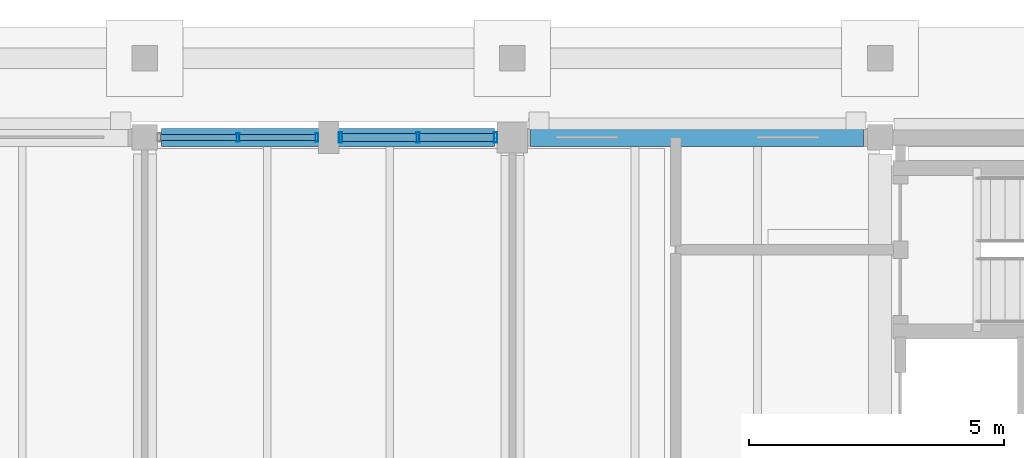
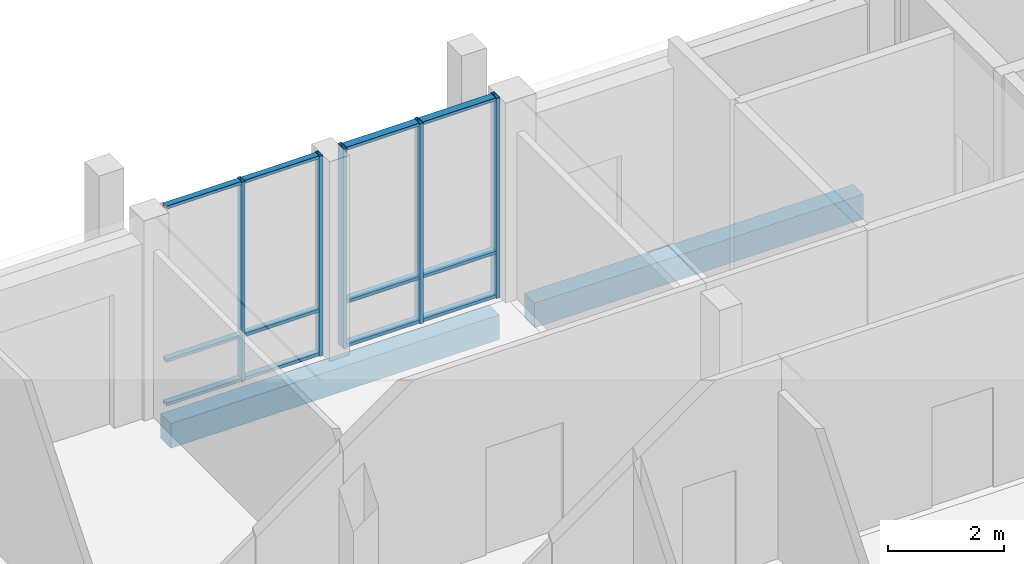
# One storey, part 42 of 104: 17 members, 2 beams, 2 elements without a shape of their own.
"""IFC4 building model written with IfcOpenShell, lengths in metres."""

from ifc_helpers import new_model, si_unit, direction, frame, origin, origin_2d, place, context, subcontext, project, spatial, rectangle, hollow_rectangle, extrude, material, material_profile, profile_set, type_object, element, aggregate, save


model = new_model("IFC4")

# Units and contexts
model_context = context("Model", 3, precision=1e-05, world=origin(), true_north=direction((0.0, 1.0)))
body_context = subcontext(model_context, "Body", "Model", "MODEL_VIEW")
ifc_project = project(units=[si_unit("LENGTHUNIT", "METRE"), si_unit("AREAUNIT", "SQUARE_METRE"), si_unit("VOLUMEUNIT", "CUBIC_METRE"), si_unit("PLANEANGLEUNIT", "RADIAN"), si_unit("MASSUNIT", "GRAM", prefix="KILO")], contexts=[model_context])

# Site, building, storey
site_placement = place(None, origin())
site = spatial("IfcSite", under=ifc_project, at=site_placement, CompositionType="ELEMENT")
building_placement = place(site_placement, origin())
building = spatial("IfcBuilding", under=site, at=building_placement, Name="Hawrajan Terrace Health Centre", CompositionType="ELEMENT")
storey_placement = place(building_placement, origin())
storey = spatial("IfcBuildingStorey", under=building, at=storey_placement, Name="L00", CompositionType="ELEMENT", Elevation=0.0)

# Curtain wall, members
ifc_material_1 = material(Name="Anodized bronze aluminium and low-E solar glazing", Category="aluminium")
curtain_wall_type_1 = type_object("IfcCurtainWallType", Name="CW_Garden_SeriesF2", PredefinedType="USERDEFINED", material=ifc_material_1)
curtain_wall_1_placement = place(storey_placement, origin())
curtain_wall_1 = element("IfcCurtainWall", 1, at=curtain_wall_1_placement, inside=storey, type_object=curtain_wall_type_1, Name="Curtain wall CW-L00-015", ObjectType="UNITISED CURTAIN WALL", PredefinedType="USERDEFINED")
ifc_material_2 = material(Name="Anodized bronze aluminium 6063-T6", Category="aluminium")
ifc_material_profile_1 = material_profile(ifc_material_2, hollow_rectangle(XDim=0.06494140625, YDim=0.159912109375, WallThickness=0.00390625, at=origin_2d()), Name="CW MUL 65x160")
ifc_profile_set_1 = profile_set([ifc_material_profile_1], Name="Anodized bronze aluminium 6063-T6")
member_type_1 = type_object("IfcMemberType", Name="CWMullion_65x160", PredefinedType="MULLION", material=ifc_profile_set_1)
member_1_placement = place(storey_placement, frame((35.22509765625, 59.800048828125, -0.0048828125), z_axis=(0.0, 0.0, 1.0), x_axis=(1.0, 0.0, 0.0)))
member_1 = element("IfcMember", 2, at=member_1_placement, type_object=member_type_1, Name="Mullion CW-L00-015-M2", PredefinedType="MULLION", context=body_context, shape_type="SweptSolid", body=[
    extrude(hollow_rectangle(XDim=0.06494140625, YDim=0.159912109375, WallThickness=0.00390625, at=origin_2d()), origin(), (0.0, 0.0, 1.0), 4.2099609375),
])
member_2_placement = place(storey_placement, frame((36.767578125, 59.800048828125, -0.0048828125), z_axis=(0.0, 0.0, 1.0), x_axis=(1.0, 0.0, 0.0)))
member_2 = element("IfcMember", 3, at=member_2_placement, type_object=member_type_1, Name="Mullion CW-L00-015-M3", PredefinedType="MULLION", context=body_context, shape_type="SweptSolid", body=[
    extrude(hollow_rectangle(XDim=0.06494140625, YDim=0.159912109375, WallThickness=0.00390625, at=origin_2d()), origin(), (0.0, 0.0, 1.0), 4.2099609375),
])

curtain_wall_type_2 = type_object("IfcCurtainWallType", Name="CW_Clerestory_SeriesG1", PredefinedType="USERDEFINED", material=ifc_material_1)
curtain_wall_2_placement = place(storey_placement, origin())
curtain_wall_2 = element("IfcCurtainWall", 4, at=curtain_wall_2_placement, inside=storey, type_object=curtain_wall_type_2, Name="Curtain wall CW-L00-016", ObjectType="UNITISED CURTAIN WALL", PredefinedType="USERDEFINED")
ifc_material_profile_2 = material_profile(ifc_material_2, hollow_rectangle(XDim=0.06494140625, YDim=0.199951171875, WallThickness=0.00439453125, at=origin_2d()), Name="CW MUL 65x200")
ifc_profile_set_2 = profile_set([ifc_material_profile_2], Name="Anodized bronze aluminium 6063-T6")
member_type_2 = type_object("IfcMemberType", Name="CWMullion_65x200", PredefinedType="MULLION", material=ifc_profile_set_2)
member_3_placement = place(storey_placement, frame((37.232421875, 59.800048828125, -0.0048828125), z_axis=(0.0, 0.0, 1.0), x_axis=(1.0, 0.0, 0.0)))
member_3 = element("IfcMember", 5, at=member_3_placement, type_object=member_type_2, Name="Mullion CW-L00-016-M1", PredefinedType="MULLION", context=body_context, shape_type="SweptSolid", body=[
    extrude(hollow_rectangle(XDim=0.06494140625, YDim=0.199951171875, WallThickness=0.00439453125, at=origin_2d()), origin(), (0.0, 0.0, 1.0), 4.2099609375),
])
member_4_placement = place(storey_placement, frame((38.75, 59.800048828125, -0.0048828125), z_axis=(0.0, 0.0, 1.0), x_axis=(1.0, 0.0, 0.0)))
member_4 = element("IfcMember", 6, at=member_4_placement, type_object=member_type_2, Name="Mullion CW-L00-016-M2", PredefinedType="MULLION", context=body_context, shape_type="SweptSolid", body=[
    extrude(hollow_rectangle(XDim=0.06494140625, YDim=0.199951171875, WallThickness=0.00439453125, at=origin_2d()), origin(), (0.0, 0.0, 1.0), 4.2099609375),
])
member_5_placement = place(storey_placement, frame((40.267578125, 59.800048828125, -0.0048828125), z_axis=(0.0, 0.0, 1.0), x_axis=(1.0, 0.0, 0.0)))
member_5 = element("IfcMember", 7, at=member_5_placement, type_object=member_type_2, Name="Mullion CW-L00-016-M3", PredefinedType="MULLION", context=body_context, shape_type="SweptSolid", body=[
    extrude(hollow_rectangle(XDim=0.06494140625, YDim=0.199951171875, WallThickness=0.00439453125, at=origin_2d()), origin(), (0.0, 0.0, 1.0), 4.2099609375),
])

# Member
ifc_material_profile_3 = material_profile(ifc_material_2, hollow_rectangle(XDim=0.06494140625, YDim=0.1201171875, WallThickness=0.00341796875, at=origin_2d()), Name="CW TRN 65x120")
ifc_profile_set_3 = profile_set([ifc_material_profile_3], Name="Anodized bronze aluminium 6063-T6")
member_type_3 = type_object("IfcMemberType", Name="CWTransom_65x120", PredefinedType="USERDEFINED", material=ifc_profile_set_3)
member_6_placement = place(storey_placement, frame((33.708984375, 59.800048828125, 0.032470703125), z_axis=(1.0, 0.0, 0.0), x_axis=(0.0, 0.0, 1.0)))
member_6 = element("IfcMember", 8, at=member_6_placement, type_object=member_type_3, Name="Transom CW-L00-015-T1-1", ObjectType="TRANSOM", PredefinedType="USERDEFINED", context=body_context, shape_type="SweptSolid", body=[
    extrude(hollow_rectangle(XDim=0.06494140625, YDim=0.1201171875, WallThickness=0.00341796875, at=origin_2d()), origin(), (0.0, 0.0, 1.0), 1.489501953125),
])

member_7_placement = place(storey_placement, frame((33.708984375, 59.800048828125, 0.949951171875), z_axis=(1.0, 0.0, 0.0), x_axis=(0.0, 0.0, 1.0)))
member_7 = element("IfcMember", 9, at=member_7_placement, type_object=member_type_3, Name="Transom CW-L00-015-T1-2", ObjectType="TRANSOM", PredefinedType="USERDEFINED", context=body_context, shape_type="SweptSolid", body=[
    extrude(hollow_rectangle(XDim=0.06494140625, YDim=0.1201171875, WallThickness=0.00341796875, at=origin_2d()), origin(), (0.0, 0.0, 1.0), 1.489501953125),
])

member_8_placement = place(storey_placement, frame((33.708984375, 59.800048828125, 4.16748046875), z_axis=(1.0, 0.0, 0.0), x_axis=(0.0, 0.0, 1.0)))
member_8 = element("IfcMember", 10, at=member_8_placement, type_object=member_type_3, Name="Transom CW-L00-015-T1-3", ObjectType="TRANSOM", PredefinedType="USERDEFINED", context=body_context, shape_type="SweptSolid", body=[
    extrude(hollow_rectangle(XDim=0.06494140625, YDim=0.1201171875, WallThickness=0.00341796875, at=origin_2d()), origin(), (0.0, 0.0, 1.0), 1.489501953125),
])

member_9_placement = place(storey_placement, frame((35.25146484375, 59.800048828125, 0.032470703125), z_axis=(1.0, 0.0, 0.0), x_axis=(0.0, 0.0, 1.0)))
member_9 = element("IfcMember", 11, at=member_9_placement, type_object=member_type_3, Name="Transom CW-L00-015-T2-1", ObjectType="TRANSOM", PredefinedType="USERDEFINED", context=body_context, shape_type="SweptSolid", body=[
    extrude(hollow_rectangle(XDim=0.06494140625, YDim=0.1201171875, WallThickness=0.00341796875, at=origin_2d()), origin(), (0.0, 0.0, 1.0), 1.489501953125),
])

member_10_placement = place(storey_placement, frame((35.25146484375, 59.800048828125, 0.949951171875), z_axis=(1.0, 0.0, 0.0), x_axis=(0.0, 0.0, 1.0)))
member_10 = element("IfcMember", 12, at=member_10_placement, type_object=member_type_3, Name="Transom CW-L00-015-T2-2", ObjectType="TRANSOM", PredefinedType="USERDEFINED", context=body_context, shape_type="SweptSolid", body=[
    extrude(hollow_rectangle(XDim=0.06494140625, YDim=0.1201171875, WallThickness=0.00341796875, at=origin_2d()), origin(), (0.0, 0.0, 1.0), 1.489501953125),
])

member_11_placement = place(storey_placement, frame((35.25146484375, 59.800048828125, 4.16748046875), z_axis=(1.0, 0.0, 0.0), x_axis=(0.0, 0.0, 1.0)))
member_11 = element("IfcMember", 13, at=member_11_placement, type_object=member_type_3, Name="Transom CW-L00-015-T2-3", ObjectType="TRANSOM", PredefinedType="USERDEFINED", context=body_context, shape_type="SweptSolid", body=[
    extrude(hollow_rectangle(XDim=0.06494140625, YDim=0.1201171875, WallThickness=0.00341796875, at=origin_2d()), origin(), (0.0, 0.0, 1.0), 1.489501953125),
])

aggregate(curtain_wall_1, [member_1, member_2, member_6, member_7, member_8, member_9, member_10, member_11])

ifc_material_profile_4 = material_profile(ifc_material_2, hollow_rectangle(XDim=0.06494140625, YDim=0.14990234375, WallThickness=0.00390625, at=origin_2d()), Name="CW TRN 65x150")
ifc_profile_set_4 = profile_set([ifc_material_profile_4], Name="Anodized bronze aluminium 6063-T6")
member_type_4 = type_object("IfcMemberType", Name="CWTransom_65x150", PredefinedType="USERDEFINED", material=ifc_profile_set_4)
member_12_placement = place(storey_placement, frame((37.259033203125, 59.800048828125, 0.032470703125), z_axis=(1.0, 0.0, 0.0), x_axis=(0.0, 0.0, 1.0)))
member_12 = element("IfcMember", 14, at=member_12_placement, type_object=member_type_4, Name="Transom CW-L00-016-T1-1", ObjectType="TRANSOM", PredefinedType="USERDEFINED", context=body_context, shape_type="SweptSolid", body=[
    extrude(hollow_rectangle(XDim=0.06494140625, YDim=0.14990234375, WallThickness=0.00390625, at=origin_2d()), origin(), (0.0, 0.0, 1.0), 1.46435546875),
])

member_13_placement = place(storey_placement, frame((37.259033203125, 59.800048828125, 0.949951171875), z_axis=(1.0, 0.0, 0.0), x_axis=(0.0, 0.0, 1.0)))
member_13 = element("IfcMember", 15, at=member_13_placement, type_object=member_type_4, Name="Transom CW-L00-016-T1-2", ObjectType="TRANSOM", PredefinedType="USERDEFINED", context=body_context, shape_type="SweptSolid", body=[
    extrude(hollow_rectangle(XDim=0.06494140625, YDim=0.14990234375, WallThickness=0.00390625, at=origin_2d()), origin(), (0.0, 0.0, 1.0), 1.46435546875),
])

member_14_placement = place(storey_placement, frame((37.259033203125, 59.800048828125, 4.16748046875), z_axis=(1.0, 0.0, 0.0), x_axis=(0.0, 0.0, 1.0)))
member_14 = element("IfcMember", 16, at=member_14_placement, type_object=member_type_4, Name="Transom CW-L00-016-T1-3", ObjectType="TRANSOM", PredefinedType="USERDEFINED", context=body_context, shape_type="SweptSolid", body=[
    extrude(hollow_rectangle(XDim=0.06494140625, YDim=0.14990234375, WallThickness=0.00390625, at=origin_2d()), origin(), (0.0, 0.0, 1.0), 1.46435546875),
])

member_15_placement = place(storey_placement, frame((38.776611328125, 59.800048828125, 0.032470703125), z_axis=(1.0, 0.0, 0.0), x_axis=(0.0, 0.0, 1.0)))
member_15 = element("IfcMember", 17, at=member_15_placement, type_object=member_type_4, Name="Transom CW-L00-016-T2-1", ObjectType="TRANSOM", PredefinedType="USERDEFINED", context=body_context, shape_type="SweptSolid", body=[
    extrude(hollow_rectangle(XDim=0.06494140625, YDim=0.14990234375, WallThickness=0.00390625, at=origin_2d()), origin(), (0.0, 0.0, 1.0), 1.46435546875),
])

member_16_placement = place(storey_placement, frame((38.776611328125, 59.800048828125, 0.949951171875), z_axis=(1.0, 0.0, 0.0), x_axis=(0.0, 0.0, 1.0)))
member_16 = element("IfcMember", 18, at=member_16_placement, type_object=member_type_4, Name="Transom CW-L00-016-T2-2", ObjectType="TRANSOM", PredefinedType="USERDEFINED", context=body_context, shape_type="SweptSolid", body=[
    extrude(hollow_rectangle(XDim=0.06494140625, YDim=0.14990234375, WallThickness=0.00390625, at=origin_2d()), origin(), (0.0, 0.0, 1.0), 1.46435546875),
])

member_17_placement = place(storey_placement, frame((38.776611328125, 59.800048828125, 4.16748046875), z_axis=(1.0, 0.0, 0.0), x_axis=(0.0, 0.0, 1.0)))
member_17 = element("IfcMember", 19, at=member_17_placement, type_object=member_type_4, Name="Transom CW-L00-016-T2-3", ObjectType="TRANSOM", PredefinedType="USERDEFINED", context=body_context, shape_type="SweptSolid", body=[
    extrude(hollow_rectangle(XDim=0.06494140625, YDim=0.14990234375, WallThickness=0.00390625, at=origin_2d()), origin(), (0.0, 0.0, 1.0), 1.46435546875),
])

aggregate(curtain_wall_2, [member_3, member_4, member_5, member_12, member_13, member_14, member_15, member_16, member_17])

# Beams
ifc_material_3 = material(Name="Concrete C40/50", Category="concrete")
ifc_material_profile_5 = material_profile(ifc_material_3, rectangle(XDim=0.35009765625, YDim=0.52001953125, at=origin_2d()), Name="RC SP 350x520")
ifc_profile_set_5 = profile_set([ifc_material_profile_5], Name="Concrete C40/50")
beam_type = type_object("IfcBeamType", Name="RCSpandrel_350x520", PredefinedType="SPANDREL", material=ifc_profile_set_5)
beam_1_placement = place(storey_placement, frame((33.72509765625, 59.800048828125, -0.56005859375), z_axis=(1.0, 0.0, 0.0), x_axis=(0.0, 1.0, 0.0)))
element("IfcBeam", 20, at=beam_1_placement, inside=storey, type_object=beam_type, Name="Beam BM-X-L00-W-05-Y8", PredefinedType="SPANDREL", context=body_context, shape_type="SweptSolid", body=[
    extrude(rectangle(XDim=0.35009765625, YDim=0.52001953125, at=origin_2d()), origin(), (0.0, 0.0, 1.0), 6.52490234375),
])
beam_2_placement = place(storey_placement, frame((40.949951171875, 59.800048828125, -0.56005859375), z_axis=(1.0, 0.0, 0.0), x_axis=(0.0, 1.0, 0.0)))
element("IfcBeam", 21, at=beam_2_placement, inside=storey, type_object=beam_type, Name="Beam BM-X-L00-W-06-Y8", PredefinedType="SPANDREL", context=body_context, shape_type="SweptSolid", body=[
    extrude(rectangle(XDim=0.35009765625, YDim=0.52001953125, at=origin_2d()), origin(), (0.0, 0.0, 1.0), 6.525146484375),
])

save(model, "model.ifc")
